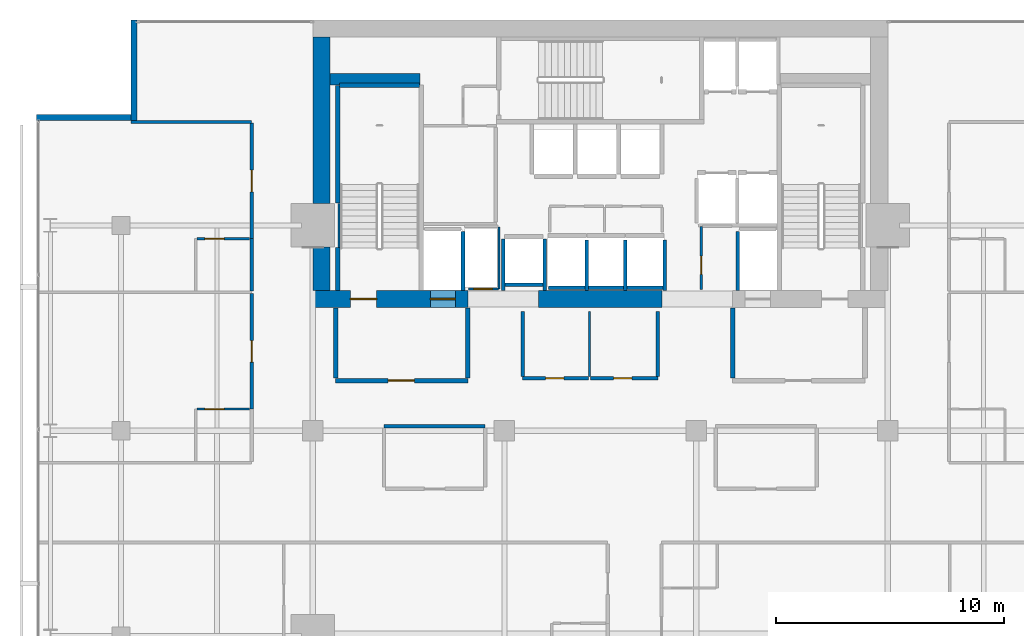
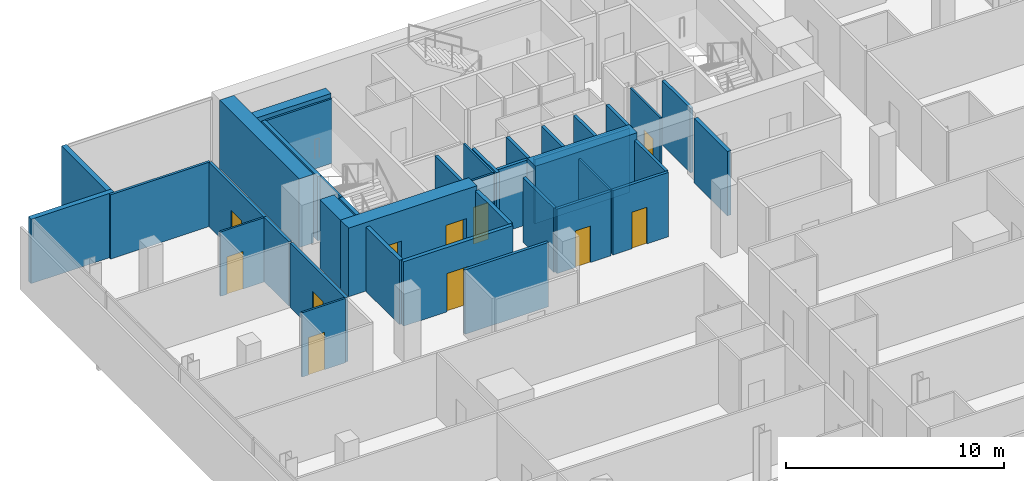
# One storey, part 29 of 33: 39 walls, 11 doors, 11 openings.
"""IFC4 building model written with IfcOpenShell, lengths in metres."""

from ifc_helpers import new_model, si_unit, direction, frame, frame_2d, origin, place, context, subcontext, project, spatial, rectangle, extrude, material, layer, layer_set, type_object, element, fill, save


model = new_model("IFC4")

# Units and contexts
model_context = context("Model", 3, precision=1e-05, world=origin(), true_north=direction((0.0, 1.0)))
body_context = subcontext(model_context, "Body", "Model", "MODEL_VIEW")
ifc_project = project(units=[si_unit("LENGTHUNIT", "METRE"), si_unit("AREAUNIT", "SQUARE_METRE"), si_unit("VOLUMEUNIT", "CUBIC_METRE"), si_unit("PLANEANGLEUNIT", "RADIAN"), si_unit("MASSUNIT", "GRAM", prefix="KILO")], contexts=[model_context])

# Site, building, storey
site_placement = place(None, origin())
site = spatial("IfcSite", under=ifc_project, at=site_placement, CompositionType="ELEMENT")
building_placement = place(site_placement, origin())
building = spatial("IfcBuilding", under=site, at=building_placement, Name="Maruvema Waterfront Hotel and Observation Tower", CompositionType="ELEMENT")
storey_placement = place(building_placement, frame((0.0, 0.0, 158.199951171875)))
storey = spatial("IfcBuildingStorey", under=building, at=storey_placement, Name="L38", CompositionType="ELEMENT", Elevation=158.199951171875)

# Wall, opening, door
ifc_material_1 = material(Name="Twin-stud acoustic gypsum drywall", Category="gypsum")
ifc_layer_1 = layer(ifc_material_1, 0.14990234375, Name="Acoustic Corridor and Suite Demising Wall 150 mm")
ifc_layer_set_1 = layer_set([ifc_layer_1], Name="Twin-stud acoustic gypsum drywall")
wall_type_1 = type_object("IfcWallType", Name="Acoustic Corridor and Suite Demising Wall 150 mm", PredefinedType="PARTITIONING", material=ifc_layer_set_1)
wall_1_placement = place(storey_placement, frame((34.39990234375, 38.300048828125, 0.0), z_axis=(0.0, 0.0, 1.0), x_axis=(1.0, 0.0, 0.0)))
wall_1 = element("IfcWall", 1, at=wall_1_placement, inside=storey, type_object=wall_type_1, Name="L38 Core Apron K2A South 022", PredefinedType="PARTITIONING", context=body_context, shape_type="SweptSolid", body=[
    extrude(rectangle(XDim=2.880126953125, YDim=0.14990234375, at=frame_2d((1.43994140625, 0.0))), origin(), (0.0, 0.0, 1.0), 3.610107421875),
])
opening_1_placement = place(wall_1_placement, frame((1.0, 0.0, 0.0)))
opening_1 = element("IfcOpeningElement", 2, at=opening_1_placement, cuts=wall_1, Name="Opening DR-080", PredefinedType="OPENING", context=body_context, shape_type="SweptSolid", body=[
    extrude(rectangle(XDim=0.800048828125, YDim=2.050048828125, at=frame_2d((0.39990234375, 1.02490234375))), frame((0.0, 0.0849609375, 0.0), z_axis=(0.0, -1.0, 0.0), x_axis=(1.0, 0.0, 0.0)), (0.0, 0.0, 1.0), 0.169921875),
])
ifc_material_2 = material(Name="Powder-coated steel access leaf", Category="steel")
door_type_1 = type_object("IfcDoorType", Name="Riser and Service Cupboard Door 800x2050 mm", OperationType="NOTDEFINED", PredefinedType="DOOR", material=ifc_material_2)
door_1_placement = place(opening_1_placement, frame((0.800048828125, 0.0, 0.0), z_axis=(0.0, 0.0, 1.0), x_axis=(-1.0, 0.0, 0.0)))
door_1 = element("IfcDoor", 3, at=door_1_placement, inside=storey, type_object=door_type_1, Name="L38 Core Ice Alcove Door", OperationType="SINGLE_SWING_LEFT", OverallHeight=2.050048828125, OverallWidth=0.800048828125, PredefinedType="DOOR", context=body_context, shape_type="SweptSolid", body=[
    extrude(rectangle(XDim=0.800048828125, YDim=2.050048828125, at=frame_2d((0.39990234375, 1.02490234375))), frame((0.0, 0.02490234375, 0.0), z_axis=(0.0, -1.0, 0.0), x_axis=(1.0, 0.0, 0.0)), (0.0, 0.0, 1.0), 0.050048828125),
])
fill(opening_1, door_1)

wall_2_placement = place(storey_placement, frame((37.3798828125, 38.300048828125, 0.0), z_axis=(0.0, 0.0, 1.0), x_axis=(1.0, 0.0, 0.0)))
wall_2 = element("IfcWall", 4, at=wall_2_placement, inside=storey, type_object=wall_type_1, Name="L38 Core Apron K2B South 023", PredefinedType="PARTITIONING", context=body_context, shape_type="SweptSolid", body=[
    extrude(rectangle(XDim=2.940185546875, YDim=0.14990234375, at=frame_2d((1.47021484375, 0.0))), origin(), (0.0, 0.0, 1.0), 3.610107421875),
])
opening_2_placement = place(wall_2_placement, frame((1.0, 0.0, 0.0)))
opening_2 = element("IfcOpeningElement", 5, at=opening_2_placement, cuts=wall_2, Name="Opening DR-080", PredefinedType="OPENING", context=body_context, shape_type="SweptSolid", body=[
    extrude(rectangle(XDim=0.800048828125, YDim=2.050048828125, at=frame_2d((0.39990234375, 1.02490234375))), frame((0.0, 0.0849609375, 0.0), z_axis=(0.0, -1.0, 0.0), x_axis=(1.0, 0.0, 0.0)), (0.0, 0.0, 1.0), 0.169921875),
])
door_2_placement = place(opening_2_placement, frame((0.800048828125, 0.0, 0.0), z_axis=(0.0, 0.0, 1.0), x_axis=(-1.0, 0.0, 0.0)))
door_2 = element("IfcDoor", 6, at=door_2_placement, inside=storey, type_object=door_type_1, Name="L38 Core Valet Closet Door", OperationType="SINGLE_SWING_RIGHT", OverallHeight=2.050048828125, OverallWidth=0.800048828125, PredefinedType="DOOR", context=body_context, shape_type="SweptSolid", body=[
    extrude(rectangle(XDim=0.800048828125, YDim=2.050048828125, at=frame_2d((0.39990234375, 1.02490234375))), frame((0.0, 0.02490234375, 0.0), z_axis=(0.0, -1.0, 0.0), x_axis=(1.0, 0.0, 0.0)), (0.0, 0.0, 1.0), 0.050048828125),
])
fill(opening_2, door_2)

# Walls
for number, where, z_axis, x_axis, name in (
    (7, (34.39990234375, 38.3798828125, 0.0), (0.0, 0.0, 1.0), (0.0, 1.0, 0.0), "L38 Core Apron K2 West 024"),
    (8, (40.320068359375, 38.3798828125, 0.0), (0.0, 0.0, 1.0), (0.0, 1.0, 0.0), "L38 Core Apron K2 East 026"),
):
    element("IfcWall", number, at=place(storey_placement, frame(where, z_axis=z_axis, x_axis=x_axis)), inside=storey, type_object=wall_type_1, Name=name, PredefinedType="PARTITIONING", context=body_context, shape_type="SweptSolid", body=[
        extrude(rectangle(XDim=2.840087890625, YDim=0.14990234375, at=frame_2d((1.419921875, 0.0))), origin(), (0.0, 0.0, 1.0), 3.610107421875),
    ])
wall_3_placement = place(storey_placement, frame((28.320068359375, 36.199951171875, 0.0), z_axis=(0.0, 0.0, 1.0), x_axis=(1.0, 0.0, 0.0)))
element("IfcWall", 9, at=wall_3_placement, inside=storey, type_object=wall_type_1, Name="L38 L38-M1 Back Wall 027", PredefinedType="PARTITIONING", context=body_context, shape_type="SweptSolid", body=[
    extrude(rectangle(XDim=4.429931640625, YDim=0.14990234375, at=frame_2d((2.21484375, 0.0))), origin(), (0.0, 0.0, 1.0), 3.610107421875),
])

# Wall, opening, door
wall_4_placement = place(storey_placement, frame((22.52001953125, 36.949951171875, 0.0), z_axis=(0.0, 0.0, 1.0), x_axis=(0.0, 1.0, 0.0)))
wall_4 = element("IfcWall", 10, at=wall_4_placement, inside=storey, type_object=wall_type_1, Name="L38 Room L38-NW1 Corridor Wall 109", PredefinedType="PARTITIONING", context=body_context, shape_type="SweptSolid", body=[
    extrude(rectangle(XDim=5.058837890625, YDim=0.14990234375, at=frame_2d((2.529296875, 0.0))), origin(), (0.0, 0.0, 1.0), 3.610107421875),
])
opening_3_placement = place(wall_4_placement, frame((2.054443359375, 0.0, 0.0)))
opening_3 = element("IfcOpeningElement", 11, at=opening_3_placement, cuts=wall_4, Name="Opening DR-095", PredefinedType="OPENING", context=body_context, shape_type="SweptSolid", body=[
    extrude(rectangle(XDim=0.949951171875, YDim=2.14990234375, at=frame_2d((0.47509765625, 1.074951171875))), frame((0.0, 0.0849609375, 0.0), z_axis=(0.0, -1.0, 0.0), x_axis=(1.0, 0.0, 0.0)), (0.0, 0.0, 1.0), 0.169921875),
])
ifc_material_3 = material(Name="Acoustic solid-core hardwood timber leaf", Category="wood")
door_type_2 = type_object("IfcDoorType", Name="Guestroom Entrance Fire Door 950x2150 mm", OperationType="NOTDEFINED", PredefinedType="DOOR", material=ifc_material_3)
door_3_placement = place(opening_3_placement, origin())
door_3 = element("IfcDoor", 12, at=door_3_placement, inside=storey, type_object=door_type_2, Name="L38 Room L38-NW1 Entrance Door", OperationType="SINGLE_SWING_RIGHT", OverallHeight=2.14990234375, OverallWidth=0.949951171875, PredefinedType="DOOR", context=body_context, shape_type="SweptSolid", body=[
    extrude(rectangle(XDim=0.949951171875, YDim=2.14990234375, at=frame_2d((0.47509765625, 1.074951171875))), frame((0.0, 0.02490234375, 0.0), z_axis=(0.0, -1.0, 0.0), x_axis=(1.0, 0.0, 0.0)), (0.0, 0.0, 1.0), 0.050048828125),
])
fill(opening_3, door_3)

# Wall
wall_5_placement = place(storey_placement, frame((22.52001953125, 42.12890625, 0.0), z_axis=(0.0, 0.0, 1.0), x_axis=(0.0, 1.0, 0.0)))
element("IfcWall", 13, at=wall_5_placement, inside=storey, type_object=wall_type_1, Name="L38 Bath L38-NW2 Wall 118", PredefinedType="PARTITIONING", context=body_context, shape_type="SweptSolid", body=[
    extrude(rectangle(XDim=2.289794921875, YDim=0.14990234375, at=frame_2d((1.14501953125, 0.0))), origin(), (0.0, 0.0, 1.0), 3.610107421875),
])

# Wall, opening, door
wall_6_placement = place(storey_placement, frame((22.52001953125, 44.418701171875, 0.0), z_axis=(0.0, 0.0, 1.0), x_axis=(0.0, 1.0, 0.0)))
wall_6 = element("IfcWall", 14, at=wall_6_placement, inside=storey, type_object=wall_type_1, Name="L38 Room L38-NW2 Corridor Wall 119", PredefinedType="PARTITIONING", context=body_context, shape_type="SweptSolid", body=[
    extrude(rectangle(XDim=5.058837890625, YDim=0.14990234375, at=frame_2d((2.529296875, 0.0))), origin(), (0.0, 0.0, 1.0), 3.610107421875),
])
opening_4_placement = place(wall_6_placement, frame((2.054443359375, 0.0, 0.0)))
opening_4 = element("IfcOpeningElement", 15, at=opening_4_placement, cuts=wall_6, Name="Opening DR-095", PredefinedType="OPENING", context=body_context, shape_type="SweptSolid", body=[
    extrude(rectangle(XDim=0.949951171875, YDim=2.14990234375, at=frame_2d((0.47509765625, 1.074951171875))), frame((0.0, 0.0849609375, 0.0), z_axis=(0.0, -1.0, 0.0), x_axis=(1.0, 0.0, 0.0)), (0.0, 0.0, 1.0), 0.169921875),
])
door_4_placement = place(opening_4_placement, origin())
door_4 = element("IfcDoor", 16, at=door_4_placement, inside=storey, type_object=door_type_2, Name="L38 Room L38-NW2 Entrance Door", OperationType="SINGLE_SWING_RIGHT", OverallHeight=2.14990234375, OverallWidth=0.949951171875, PredefinedType="DOOR", context=body_context, shape_type="SweptSolid", body=[
    extrude(rectangle(XDim=0.949951171875, YDim=2.14990234375, at=frame_2d((0.47509765625, 1.074951171875))), frame((0.0, 0.02490234375, 0.0), z_axis=(0.0, -1.0, 0.0), x_axis=(1.0, 0.0, 0.0)), (0.0, 0.0, 1.0), 0.050048828125),
])
fill(opening_4, door_4)

# Walls
ifc_material_4 = material(Name="Precast concrete C45/55", Category="concrete")
ifc_layer_2 = layer(ifc_material_4, 0.199951171875, Name="Core Shaft and Stairwell Enclosure Wall 200 mm")
ifc_layer_set_2 = layer_set([ifc_layer_2], Name="Precast concrete C45/55")
wall_type_2 = type_object("IfcWallType", Name="Core Shaft and Stairwell Enclosure Wall 200 mm", PredefinedType="SOLIDWALL", material=ifc_layer_set_2)
wall_7_placement = place(storey_placement, frame((26.300048828125, 42.14990234375, 0.0), z_axis=(0.0, 0.0, 1.0), x_axis=(0.0, 1.0, 0.0)))
element("IfcWall", 17, at=wall_7_placement, inside=storey, type_object=wall_type_2, Name="L38 Stairwell ST-01 Shaft Lining Wall", PredefinedType="SOLIDWALL", context=body_context, shape_type="SweptSolid", body=[
    extrude(rectangle(XDim=1.8701171875, YDim=0.199951171875, at=frame_2d((0.93505859375, 0.0))), origin(), (0.0, 0.0, 1.0), 3.610107421875),
])
wall_8_placement = place(storey_placement, frame((26.300048828125, 45.97998046875, 0.0), z_axis=(0.0, 0.0, 1.0), x_axis=(0.0, 1.0, 0.0)))
element("IfcWall", 18, at=wall_8_placement, inside=storey, type_object=wall_type_2, Name="L38 Stairwell ST-01 Shaft Lining Wall", PredefinedType="SOLIDWALL", context=body_context, shape_type="SweptSolid", body=[
    extrude(rectangle(XDim=5.14013671875, YDim=0.199951171875, at=frame_2d((2.570068359375, 0.0))), origin(), (0.0, 0.0, 1.0), 3.610107421875),
])
wall_9_placement = place(storey_placement, frame((26.3798828125, 51.14990234375, 0.0), z_axis=(0.0, 0.0, 1.0), x_axis=(1.0, 0.0, 0.0)))
element("IfcWall", 19, at=wall_9_placement, inside=storey, type_object=wall_type_2, Name="L38 Stairwell ST-01 Shaft Lining Wall", PredefinedType="SOLIDWALL", context=body_context, shape_type="SweptSolid", body=[
    extrude(rectangle(XDim=3.5, YDim=0.199951171875, at=frame_2d((1.75, 0.0))), origin(), (0.0, 0.0, 1.0), 3.610107421875),
])
ifc_material_5 = material(Name="Concrete C70/85", Category="concrete")
ifc_layer_3 = layer(ifc_material_5, 0.5, Name="Core Shear Wall 500 mm")
ifc_layer_set_3 = layer_set([ifc_layer_3], Name="Concrete C70/85")
wall_type_3 = type_object("IfcWallType", Name="Core Shear Wall 500 mm", PredefinedType="SHEAR", material=ifc_layer_set_3)
wall_10_placement = place(storey_placement, frame((25.949951171875, 51.39990234375, 0.0), z_axis=(0.0, 0.0, 1.0), x_axis=(1.0, 0.0, 0.0)))
element("IfcWall", 20, at=wall_10_placement, inside=storey, type_object=wall_type_3, Name="L38 Internal Core Shear Wall NW 500 mm", PredefinedType="SHEAR", context=body_context, shape_type="SweptSolid", body=[
    extrude(rectangle(XDim=3.949951171875, YDim=0.5, at=frame_2d((1.97509765625, 0.0))), origin(), (0.0, 0.0, 1.0), 3.85009765625),
])

# Wall, openings, doors
ifc_material_6 = material(Name="Concrete C70/85", Category="concrete")
ifc_layer_4 = layer(ifc_material_6, 0.75, Name="Core Shear Wall 750 mm")
ifc_layer_set_4 = layer_set([ifc_layer_4], Name="Concrete C70/85")
wall_type_4 = type_object("IfcWallType", Name="Core Shear Wall 750 mm", PredefinedType="SHEAR", material=ifc_layer_set_4)
wall_11_placement = place(storey_placement, frame((25.199951171875, 41.77490234375, 0.0), z_axis=(0.0, 0.0, 1.0), x_axis=(1.0, 0.0, 0.0)))
wall_11 = element("IfcWall", 21, at=wall_11_placement, inside=storey, type_object=wall_type_4, Name="L38 South-West Core Shear Wall", PredefinedType="SHEAR", context=body_context, shape_type="SweptSolid", body=[
    extrude(rectangle(XDim=6.800048828125, YDim=0.75, at=frame_2d((3.39990234375, 0.0))), origin(), (0.0, 0.0, 1.0), 3.85009765625),
])
opening_5_placement = place(wall_11_placement, frame((1.64990234375, 0.0, 0.0)))
opening_5 = element("IfcOpeningElement", 22, at=opening_5_placement, cuts=wall_11, Name="Opening SD-01", PredefinedType="OPENING", context=body_context, shape_type="SweptSolid", body=[
    extrude(rectangle(XDim=1.14990234375, YDim=2.14990234375, at=frame_2d((0.574951171875, 1.074951171875))), frame((0.0, 0.385009765625, 0.0), z_axis=(0.0, -1.0, 0.0), x_axis=(1.0, 0.0, 0.0)), (0.0, 0.0, 1.0), 0.77001953125),
])
opening_6_placement = place(wall_11_placement, frame((5.14990234375, 0.0, 0.0)))
opening_6 = element("IfcOpeningElement", 23, at=opening_6_placement, cuts=wall_11, Name="Opening LD-03", PredefinedType="OPENING", context=body_context, shape_type="SweptSolid", body=[
    extrude(rectangle(XDim=1.10009765625, YDim=2.199951171875, at=frame_2d((0.550048828125, 1.10009765625))), frame((0.0, 0.385009765625, 0.0), z_axis=(0.0, -1.0, 0.0), x_axis=(1.0, 0.0, 0.0)), (0.0, 0.0, 1.0), 0.77001953125),
])
ifc_material_7 = material(Name="Fire-rated galvanised steel leaf", Category="steel")
door_type_3 = type_object("IfcDoorType", Name="Exit Stair Fire Door 1150x2150 mm", OperationType="NOTDEFINED", PredefinedType="DOOR", material=ifc_material_7)
door_5_placement = place(opening_5_placement, origin())
door_5 = element("IfcDoor", 24, at=door_5_placement, inside=storey, type_object=door_type_3, Name="L38 Exit Stair ST-01 Fire Door", OperationType="SINGLE_SWING_LEFT", OverallHeight=2.14990234375, OverallWidth=1.14990234375, PredefinedType="DOOR", context=body_context, shape_type="SweptSolid", body=[
    extrude(rectangle(XDim=1.14990234375, YDim=2.14990234375, at=frame_2d((0.574951171875, 1.074951171875))), frame((0.0, 0.02490234375, 0.0), z_axis=(0.0, -1.0, 0.0), x_axis=(1.0, 0.0, 0.0)), (0.0, 0.0, 1.0), 0.050048828125),
])
fill(opening_5, door_5)
ifc_material_8 = material(Name="Brushed stainless steel Grade 316", Category="steel")
door_type_4 = type_object("IfcDoorType", Name="Firefighting Lift Sliding Landing Door 1100x2200 mm", OperationType="SLIDING_TO_LEFT", PredefinedType="DOOR", material=ifc_material_8)
door_6_placement = place(opening_6_placement, frame((1.10009765625, 0.0, 0.0), z_axis=(0.0, 0.0, 1.0), x_axis=(-1.0, 0.0, 0.0)))
door_6 = element("IfcDoor", 25, at=door_6_placement, inside=storey, type_object=door_type_4, Name="L38 Firefighting Lift FL-01 Landing Door", OperationType="SLIDING_TO_LEFT", OverallHeight=2.199951171875, OverallWidth=1.10009765625, PredefinedType="DOOR", context=body_context, shape_type="SweptSolid", body=[
    extrude(rectangle(XDim=1.10009765625, YDim=2.199951171875, at=frame_2d((0.550048828125, 1.10009765625))), frame((0.0, 0.02490234375, 0.0), z_axis=(0.0, -1.0, 0.0), x_axis=(1.0, 0.0, 0.0)), (0.0, 0.0, 1.0), 0.050048828125),
])
fill(opening_6, door_6)

# Walls
wall_12_placement = place(storey_placement, frame((35.10009765625, 41.77490234375, 0.0), z_axis=(0.0, 0.0, 1.0), x_axis=(1.0, 0.0, 0.0)))
element("IfcWall", 26, at=wall_12_placement, inside=storey, type_object=wall_type_4, Name="L38 South-Central Core Shear Wall", PredefinedType="SHEAR", context=body_context, shape_type="SweptSolid", body=[
    extrude(rectangle(XDim=5.39990234375, YDim=0.75, at=frame_2d((2.699951171875, 0.0))), origin(), (0.0, 0.0, 1.0), 3.85009765625),
])
wall_13_placement = place(storey_placement, frame((25.574951171875, 42.14990234375, 0.0), z_axis=(0.0, 0.0, 1.0), x_axis=(0.0, 1.0, 0.0)))
element("IfcWall", 27, at=wall_13_placement, inside=storey, type_object=wall_type_4, Name="L38 West-South Core Shear Wall", PredefinedType="SHEAR", context=body_context, shape_type="SweptSolid", body=[
    extrude(rectangle(XDim=1.900146484375, YDim=0.75, at=frame_2d((0.9501953125, 0.0))), origin(), (0.0, 0.0, 1.0), 3.85009765625),
])
wall_14_placement = place(storey_placement, frame((25.574951171875, 45.949951171875, 0.0), z_axis=(0.0, 0.0, 1.0), x_axis=(0.0, 1.0, 0.0)))
element("IfcWall", 28, at=wall_14_placement, inside=storey, type_object=wall_type_4, Name="L38 West-North Core Shear Wall", PredefinedType="SHEAR", context=body_context, shape_type="SweptSolid", body=[
    extrude(rectangle(XDim=7.300048828125, YDim=0.75, at=frame_2d((3.64990234375, 0.0))), origin(), (0.0, 0.0, 1.0), 3.85009765625),
])

# Wall, opening, door
ifc_material_9 = material(Name="Moisture-resistant cement-board drywall", Category="gypsum")
ifc_layer_5 = layer(ifc_material_9, 0.10009765625, Name="En-Suite Moisture-Resistant Partition 100 mm")
ifc_layer_set_5 = layer_set([ifc_layer_5], Name="Moisture-resistant cement-board drywall")
wall_type_5 = type_object("IfcWallType", Name="En-Suite Moisture-Resistant Partition 100 mm", PredefinedType="PARTITIONING", material=ifc_layer_set_5)
wall_15_placement = place(storey_placement, frame((32.02001953125, 42.2099609375, 0.0), z_axis=(0.0, 0.0, 1.0), x_axis=(1.0, 0.0, 0.0)))
wall_15 = element("IfcWall", 29, at=wall_15_placement, inside=storey, type_object=wall_type_5, Name="L38 Telecom Riser South Wall 007", PredefinedType="PARTITIONING", context=body_context, shape_type="SweptSolid", body=[
    extrude(rectangle(XDim=1.320068359375, YDim=0.10009765625, at=frame_2d((0.66015625, 0.0))), origin(), (0.0, 0.0, 1.0), 3.610107421875),
])
opening_7_placement = place(wall_15_placement, frame((0.239990234375, 0.0, 0.0)))
opening_7 = element("IfcOpeningElement", 30, at=opening_7_placement, cuts=wall_15, Name="Opening DR-080", PredefinedType="OPENING", context=body_context, shape_type="SweptSolid", body=[
    extrude(rectangle(XDim=0.800048828125, YDim=2.050048828125, at=frame_2d((0.39990234375, 1.02490234375))), frame((0.0, 0.06005859375, 0.0), z_axis=(0.0, -1.0, 0.0), x_axis=(1.0, 0.0, 0.0)), (0.0, 0.0, 1.0), 0.1201171875),
])
door_7_placement = place(opening_7_placement, frame((0.800048828125, 0.0, 0.0), z_axis=(0.0, 0.0, 1.0), x_axis=(-1.0, 0.0, 0.0)))
door_7 = element("IfcDoor", 31, at=door_7_placement, inside=storey, type_object=door_type_1, Name="L38 Telecom Riser Door", OperationType="SINGLE_SWING_LEFT", OverallHeight=2.050048828125, OverallWidth=0.800048828125, PredefinedType="DOOR", context=body_context, shape_type="SweptSolid", body=[
    extrude(rectangle(XDim=0.800048828125, YDim=2.050048828125, at=frame_2d((0.39990234375, 1.02490234375))), frame((0.0, 0.02490234375, 0.0), z_axis=(0.0, -1.0, 0.0), x_axis=(1.0, 0.0, 0.0)), (0.0, 0.0, 1.0), 0.050048828125),
])
fill(opening_7, door_7)

# Wall
wall_16_placement = place(storey_placement, frame((33.360107421875, 42.2099609375, 0.0), z_axis=(0.0, 0.0, 1.0), x_axis=(0.0, 1.0, 0.0)))
element("IfcWall", 32, at=wall_16_placement, inside=storey, type_object=wall_type_5, Name="L38 Telecom Riser East Wall 009", PredefinedType="PARTITIONING", context=body_context, shape_type="SweptSolid", body=[
    extrude(rectangle(XDim=2.72998046875, YDim=0.10009765625, at=frame_2d((1.364990234375, 0.0))), origin(), (0.0, 0.0, 1.0), 3.610107421875),
])

# Wall, opening, door
wall_17_placement = place(storey_placement, frame((42.219970703125, 42.199951171875, 0.0), z_axis=(0.0, 0.0, 1.0), x_axis=(0.0, 1.0, 0.0)))
wall_17 = element("IfcWall", 33, at=wall_17_placement, inside=storey, type_object=wall_type_5, Name="L38 Core Closet K2C West 015", PredefinedType="PARTITIONING", context=body_context, shape_type="SweptSolid", body=[
    extrude(rectangle(XDim=2.760009765625, YDim=0.10009765625, at=frame_2d((1.3798828125, 0.0))), origin(), (0.0, 0.0, 1.0), 3.610107421875),
])
opening_8_placement = place(wall_17_placement, frame((0.64990234375, 0.0, 0.0)))
opening_8 = element("IfcOpeningElement", 34, at=opening_8_placement, cuts=wall_17, Name="Opening DR-080", PredefinedType="OPENING", context=body_context, shape_type="SweptSolid", body=[
    extrude(rectangle(XDim=0.800048828125, YDim=2.050048828125, at=frame_2d((0.39990234375, 1.02490234375))), frame((0.0, 0.06005859375, 0.0), z_axis=(0.0, -1.0, 0.0), x_axis=(1.0, 0.0, 0.0)), (0.0, 0.0, 1.0), 0.1201171875),
])
door_8_placement = place(opening_8_placement, frame((0.800048828125, 0.0, 0.0), z_axis=(0.0, 0.0, 1.0), x_axis=(-1.0, 0.0, 0.0)))
door_8 = element("IfcDoor", 35, at=door_8_placement, inside=storey, type_object=door_type_1, Name="L38 Core Housekeeping Closet Door", OperationType="SINGLE_SWING_RIGHT", OverallHeight=2.050048828125, OverallWidth=0.800048828125, PredefinedType="DOOR", context=body_context, shape_type="SweptSolid", body=[
    extrude(rectangle(XDim=0.800048828125, YDim=2.050048828125, at=frame_2d((0.39990234375, 1.02490234375))), frame((0.0, 0.02490234375, 0.0), z_axis=(0.0, -1.0, 0.0), x_axis=(1.0, 0.0, 0.0)), (0.0, 0.0, 1.0), 0.050048828125),
])
fill(opening_8, door_8)

# Wall
wall_18_placement = place(storey_placement, frame((37.330078125, 38.3798828125, 0.0), z_axis=(0.0, 0.0, 1.0), x_axis=(0.0, 1.0, 0.0)))
element("IfcWall", 36, at=wall_18_placement, inside=storey, type_object=wall_type_5, Name="L38 Core Apron K2 Split 025", PredefinedType="PARTITIONING", context=body_context, shape_type="SweptSolid", body=[
    extrude(rectangle(XDim=2.840087890625, YDim=0.10009765625, at=frame_2d((1.419921875, 0.0))), origin(), (0.0, 0.0, 1.0), 3.610107421875),
])

# Wall, opening, door
wall_19_placement = place(storey_placement, frame((20.1201171875, 36.949951171875, 0.0), z_axis=(0.0, 0.0, 1.0), x_axis=(1.0, 0.0, 0.0)))
wall_19 = element("IfcWall", 37, at=wall_19_placement, inside=storey, type_object=wall_type_5, Name="L38 En-Suite L38-NW1 N 111", PredefinedType="PARTITIONING", context=body_context, shape_type="SweptSolid", body=[
    extrude(rectangle(XDim=2.2998046875, YDim=0.10009765625, at=frame_2d((1.14990234375, 0.0))), origin(), (0.0, 0.0, 1.0), 3.610107421875),
])
opening_9_placement = place(wall_19_placement, frame((0.35009765625, 0.0, 0.0)))
opening_9 = element("IfcOpeningElement", 38, at=opening_9_placement, cuts=wall_19, Name="Opening DR-085", PredefinedType="OPENING", context=body_context, shape_type="SweptSolid", body=[
    extrude(rectangle(XDim=0.85009765625, YDim=2.10009765625, at=frame_2d((0.425048828125, 1.050048828125))), frame((0.0, 0.06005859375, 0.0), z_axis=(0.0, -1.0, 0.0), x_axis=(1.0, 0.0, 0.0)), (0.0, 0.0, 1.0), 0.1201171875),
])
ifc_material_10 = material(Name="Moisture-resistant solid timber leaf", Category="wood")
door_type_5 = type_object("IfcDoorType", Name="En-Suite Bathroom Door 850x2100 mm", OperationType="NOTDEFINED", PredefinedType="DOOR", material=ifc_material_10)
door_9_placement = place(opening_9_placement, origin())
door_9 = element("IfcDoor", 39, at=door_9_placement, inside=storey, type_object=door_type_5, Name="L38 En-Suite L38-NW1 Door", OperationType="SINGLE_SWING_LEFT", OverallHeight=2.10009765625, OverallWidth=0.85009765625, PredefinedType="DOOR", context=body_context, shape_type="SweptSolid", body=[
    extrude(rectangle(XDim=0.85009765625, YDim=2.10009765625, at=frame_2d((0.425048828125, 1.050048828125))), frame((0.0, 0.02490234375, 0.0), z_axis=(0.0, -1.0, 0.0), x_axis=(1.0, 0.0, 0.0)), (0.0, 0.0, 1.0), 0.050048828125),
])
fill(opening_9, door_9)

wall_20_placement = place(storey_placement, frame((20.1201171875, 44.418701171875, 0.0), z_axis=(0.0, 0.0, 1.0), x_axis=(1.0, 0.0, 0.0)))
wall_20 = element("IfcWall", 40, at=wall_20_placement, inside=storey, type_object=wall_type_5, Name="L38 En-Suite L38-NW2 N 121", PredefinedType="PARTITIONING", context=body_context, shape_type="SweptSolid", body=[
    extrude(rectangle(XDim=2.2998046875, YDim=0.10009765625, at=frame_2d((1.14990234375, 0.0))), origin(), (0.0, 0.0, 1.0), 3.610107421875),
])
opening_10_placement = place(wall_20_placement, frame((0.35009765625, 0.0, 0.0)))
opening_10 = element("IfcOpeningElement", 41, at=opening_10_placement, cuts=wall_20, Name="Opening DR-085", PredefinedType="OPENING", context=body_context, shape_type="SweptSolid", body=[
    extrude(rectangle(XDim=0.85009765625, YDim=2.10009765625, at=frame_2d((0.425048828125, 1.050048828125))), frame((0.0, 0.06005859375, 0.0), z_axis=(0.0, -1.0, 0.0), x_axis=(1.0, 0.0, 0.0)), (0.0, 0.0, 1.0), 0.1201171875),
])
door_10_placement = place(opening_10_placement, origin())
door_10 = element("IfcDoor", 42, at=door_10_placement, inside=storey, type_object=door_type_5, Name="L38 En-Suite L38-NW2 Door", OperationType="SINGLE_SWING_LEFT", OverallHeight=2.10009765625, OverallWidth=0.85009765625, PredefinedType="DOOR", context=body_context, shape_type="SweptSolid", body=[
    extrude(rectangle(XDim=0.85009765625, YDim=2.10009765625, at=frame_2d((0.425048828125, 1.050048828125))), frame((0.0, 0.02490234375, 0.0), z_axis=(0.0, -1.0, 0.0), x_axis=(1.0, 0.0, 0.0)), (0.0, 0.0, 1.0), 0.050048828125),
])
fill(opening_10, door_10)

# Walls
ifc_material_11 = material(Name="Precast concrete C45/55 with honed Pernambuco granite facing", Category="masonry")
ifc_layer_6 = layer(ifc_material_11, 0.260009765625, Name="Exterior Granite Clad Spandrel and Pier Wall 260 mm")
ifc_layer_set_6 = layer_set([ifc_layer_6], Name="Precast concrete C45/55 with honed Pernambuco granite facing")
wall_type_6 = type_object("IfcWallType", Name="Exterior Granite Clad Spandrel and Pier Wall 260 mm", PredefinedType="SOLIDWALL", material=ifc_layer_set_6)
for number, where, z_axis, x_axis, name in (
    (43, (17.3701171875, 49.60009765625, 0.0), (0.0, 0.0, 1.0), (0.0, 1.0, 0.0), "L38 Corner Notch Granite Pier Wall NW1"),
    (44, (13.10009765625, 49.72998046875, 0.0), (0.0, 0.0, 1.0), (1.0, 0.0, 0.0), "L38 Corner Notch Granite Pier Wall NW2"),
):
    element("IfcWall", number, at=place(storey_placement, frame(where, z_axis=z_axis, x_axis=x_axis)), inside=storey, type_object=wall_type_6, Name=name, PredefinedType="SOLIDWALL", context=body_context, shape_type="SweptSolid", body=[
        extrude(rectangle(XDim=4.39990234375, YDim=0.260009765625, at=frame_2d((2.199951171875, 0.0))), origin(), (0.0, 0.0, 1.0), 3.610107421875),
    ])

# Wall, opening, door
ifc_material_12 = material(Name="Autoclaved cellular concrete blockwork", Category="masonry")
ifc_layer_7 = layer(ifc_material_12, 0.199951171875, Name="Fire Compartment Masonry Wall 200 mm")
ifc_layer_set_7 = layer_set([ifc_layer_7], Name="Autoclaved cellular concrete blockwork")
wall_type_7 = type_object("IfcWallType", Name="Fire Compartment Masonry Wall 200 mm", PredefinedType="PARTITIONING", material=ifc_layer_set_7)
wall_21_placement = place(storey_placement, frame((26.199951171875, 38.199951171875, 0.0), z_axis=(0.0, 0.0, 1.0), x_axis=(1.0, 0.0, 0.0)))
wall_21 = element("IfcWall", 45, at=wall_21_placement, inside=storey, type_object=wall_type_7, Name="L38 FFL West South Wall 001", PredefinedType="PARTITIONING", context=body_context, shape_type="SweptSolid", body=[
    extrude(rectangle(XDim=5.800048828125, YDim=0.199951171875, at=frame_2d((2.89990234375, 0.0))), origin(), (0.0, 0.0, 1.0), 3.610107421875),
])
opening_11_placement = place(wall_21_placement, frame((2.300048828125, 0.0, 0.0)))
opening_11 = element("IfcOpeningElement", 46, at=opening_11_placement, cuts=wall_21, Name="Opening FD-115", PredefinedType="OPENING", context=body_context, shape_type="SweptSolid", body=[
    extrude(rectangle(XDim=1.14990234375, YDim=2.14990234375, at=frame_2d((0.574951171875, 1.074951171875))), frame((0.0, 0.10986328125, 0.0), z_axis=(0.0, -1.0, 0.0), x_axis=(1.0, 0.0, 0.0)), (0.0, 0.0, 1.0), 0.219970703125),
])
ifc_material_13 = material(Name="Fire-rated galvanised steel and vision glass", Category="steel")
door_type_6 = type_object("IfcDoorType", Name="Firefighting Lobby Fire Door 1150x2150 mm", OperationType="NOTDEFINED", PredefinedType="DOOR", material=ifc_material_13)
door_11_placement = place(opening_11_placement, frame((1.14990234375, 0.0, 0.0), z_axis=(0.0, 0.0, 1.0), x_axis=(-1.0, 0.0, 0.0)))
door_11 = element("IfcDoor", 47, at=door_11_placement, inside=storey, type_object=door_type_6, Name="L38 Firefighting Lobby West Door", OperationType="SINGLE_SWING_LEFT", OverallHeight=2.14990234375, OverallWidth=1.14990234375, PredefinedType="DOOR", context=body_context, shape_type="SweptSolid", body=[
    extrude(rectangle(XDim=1.14990234375, YDim=2.14990234375, at=frame_2d((0.574951171875, 1.074951171875))), frame((0.0, 0.02490234375, 0.0), z_axis=(0.0, -1.0, 0.0), x_axis=(1.0, 0.0, 0.0)), (0.0, 0.0, 1.0), 0.050048828125),
])
fill(opening_11, door_11)

# Walls
for number, where, z_axis, x_axis, name in (
    (48, (26.199951171875, 38.31005859375, 0.0), (0.0, 0.0, 1.0), (0.0, 1.0, 0.0), "L38 FFL West West Wall 002"),
    (49, (32.0, 38.31005859375, 0.0), (0.0, 0.0, 1.0), (0.0, 1.0, 0.0), "L38 FFL West East Wall 003"),
    (50, (43.60009765625, 38.31005859375, 0.0), (0.0, 0.0, 1.0), (0.0, 1.0, 0.0), "L38 FFL East West Wall 005"),
):
    element("IfcWall", number, at=place(storey_placement, frame(where, z_axis=z_axis, x_axis=x_axis)), inside=storey, type_object=wall_type_7, Name=name, PredefinedType="PARTITIONING", context=body_context, shape_type="SweptSolid", body=[
        extrude(rectangle(XDim=3.06982421875, YDim=0.199951171875, at=frame_2d((1.534912109375, 0.0))), origin(), (0.0, 0.0, 1.0), 3.610107421875),
    ])
ifc_material_14 = material(Name="Acoustic gypsum plasterboard drywall", Category="gypsum")
ifc_layer_8 = layer(ifc_material_14, 0.125, Name="Guestroom Acoustic Demising Wall 125 mm")
ifc_layer_set_8 = layer_set([ifc_layer_8], Name="Acoustic gypsum plasterboard drywall")
wall_type_8 = type_object("IfcWallType", Name="Guestroom Acoustic Demising Wall 125 mm", PredefinedType="PARTITIONING", material=ifc_layer_set_8)
wall_22_placement = place(storey_placement, frame((17.239990234375, 49.53759765625, 0.0), z_axis=(0.0, 0.0, 1.0), x_axis=(1.0, 0.0, 0.0)))
element("IfcWall", 51, at=wall_22_placement, inside=storey, type_object=wall_type_8, Name="L38 Z2 NW Top End 106", PredefinedType="PARTITIONING", context=body_context, shape_type="SweptSolid", body=[
    extrude(rectangle(XDim=5.280029296875, YDim=0.125, at=frame_2d((2.64013671875, 0.0))), origin(), (0.0, 0.0, 1.0), 3.610107421875),
])
ifc_material_15 = material(Name="Precast concrete C45/55", Category="concrete")
ifc_layer_9 = layer(ifc_material_15, 0.159912109375, Name="Lift Hoistway Divider Wall 160 mm")
ifc_layer_set_9 = layer_set([ifc_layer_9], Name="Precast concrete C45/55")
wall_type_9 = type_object("IfcWallType", Name="Lift Hoistway Divider Wall 160 mm", PredefinedType="SOLIDWALL", material=ifc_layer_set_9)
for number, where, z_axis, x_axis, name in (
    (52, (31.780029296875, 42.14990234375, 0.0), (0.0, 0.0, 1.0), (0.0, 1.0, 0.0), "L38 Lift FL-01 Inner Hoistway Wall"),
    (53, (43.820068359375, 42.14990234375, 0.0), (0.0, 0.0, 1.0), (0.0, 1.0, 0.0), "L38 Lift FL-02 Inner Hoistway Wall"),
):
    element("IfcWall", number, at=place(storey_placement, frame(where, z_axis=z_axis, x_axis=x_axis)), inside=storey, type_object=wall_type_9, Name=name, PredefinedType="SOLIDWALL", context=body_context, shape_type="SweptSolid", body=[
        extrude(rectangle(XDim=2.590087890625, YDim=0.159912109375, at=frame_2d((1.294921875, 0.0))), origin(), (0.0, 0.0, 1.0), 3.610107421875),
    ])
for number, where, z_axis, x_axis, name in (
    (54, (37.199951171875, 42.14990234375, 0.0), (0.0, 0.0, 1.0), (0.0, 1.0, 0.0), "L38 Hoistway Divider Wall"),
    (55, (38.89990234375, 42.14990234375, 0.0), (0.0, 0.0, 1.0), (0.0, 1.0, 0.0), "L38 Hoistway Divider Wall"),
    (56, (40.6201171875, 42.14990234375, 0.0), (0.0, 0.0, 1.0), (0.0, 1.0, 0.0), "L38 Hoistway Divider Wall"),
):
    element("IfcWall", number, at=place(storey_placement, frame(where, z_axis=z_axis, x_axis=x_axis)), inside=storey, type_object=wall_type_9, Name=name, PredefinedType="SOLIDWALL", context=body_context, shape_type="SweptSolid", body=[
        extrude(rectangle(XDim=2.2001953125, YDim=0.159912109375, at=frame_2d((1.10009765625, 0.0))), origin(), (0.0, 0.0, 1.0), 3.610107421875),
    ])
wall_23_placement = place(storey_placement, frame((35.52001953125, 42.260009765625, 0.0), z_axis=(0.0, 0.0, 1.0), x_axis=(1.0, 0.0, 0.0)))
element("IfcWall", 57, at=wall_23_placement, inside=storey, type_object=wall_type_9, Name="L38 Hoistway Divider Wall", PredefinedType="SOLIDWALL", context=body_context, shape_type="SweptSolid", body=[
    extrude(rectangle(XDim=5.02001953125, YDim=0.159912109375, at=frame_2d((2.510009765625, 0.0))), origin(), (0.0, 0.0, 1.0), 3.610107421875),
])
for number, where, z_axis, x_axis, name in (
    (58, (33.5400390625, 42.14990234375, 0.0), (0.0, 0.0, 1.0), (0.0, 1.0, 0.0), "L38 Hoistway Divider Wall"),
    (59, (35.360107421875, 42.14990234375, 0.0), (0.0, 0.0, 1.0), (0.0, 1.0, 0.0), "L38 Hoistway Divider Wall"),
):
    element("IfcWall", number, at=place(storey_placement, frame(where, z_axis=z_axis, x_axis=x_axis)), inside=storey, type_object=wall_type_9, Name=name, PredefinedType="SOLIDWALL", context=body_context, shape_type="SweptSolid", body=[
        extrude(rectangle(XDim=2.25, YDim=0.159912109375, at=frame_2d((1.125, 0.0))), origin(), (0.0, 0.0, 1.0), 3.610107421875),
    ])
wall_24_placement = place(storey_placement, frame((33.6201171875, 42.39990234375, 0.0), z_axis=(0.0, 0.0, 1.0), x_axis=(1.0, 0.0, 0.0)))
element("IfcWall", 60, at=wall_24_placement, inside=storey, type_object=wall_type_9, Name="L38 Hoistway Divider Wall", PredefinedType="SOLIDWALL", context=body_context, shape_type="SweptSolid", body=[
    extrude(rectangle(XDim=1.659912109375, YDim=0.159912109375, at=frame_2d((0.830078125, 0.0))), origin(), (0.0, 0.0, 1.0), 3.610107421875),
])
ifc_material_16 = material(Name="Precast concrete C45/55", Category="concrete")
ifc_layer_10 = layer(ifc_material_16, 0.10009765625, Name="Stairwell Stringer Cheek Wall 100 mm")
ifc_layer_set_10 = layer_set([ifc_layer_10], Name="Precast concrete C45/55")
wall_type_10 = type_object("IfcWallType", Name="Stairwell Stringer Cheek Wall 100 mm", PredefinedType="SOLIDWALL", material=ifc_layer_set_10)
wall_25_placement = place(storey_placement, frame((26.35205078125, 44.0400390625, 0.0), z_axis=(0.0, 0.0, 1.0), x_axis=(0.0, 1.0, 0.0)))
element("IfcWall", 61, at=wall_25_placement, inside=storey, type_object=wall_type_10, Name="L38 Stairwell ST-01 Mega-Column Cheek Wall", PredefinedType="SOLIDWALL", context=body_context, shape_type="SweptSolid", body=[
    extrude(rectangle(XDim=1.919921875, YDim=0.10009765625, at=frame_2d((0.9599609375, 0.0))), origin(), (0.0, 0.0, 1.0), 3.610107421875),
])

save(model, "model.ifc")
